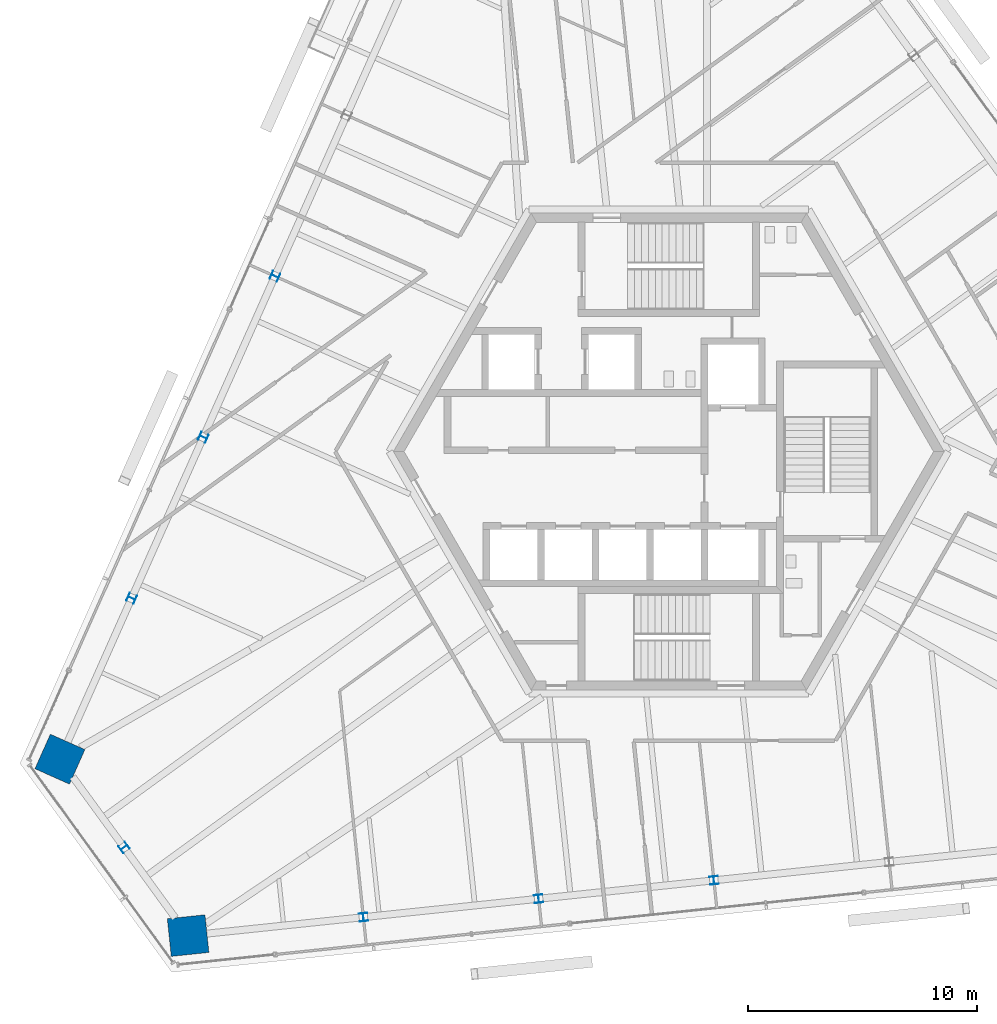
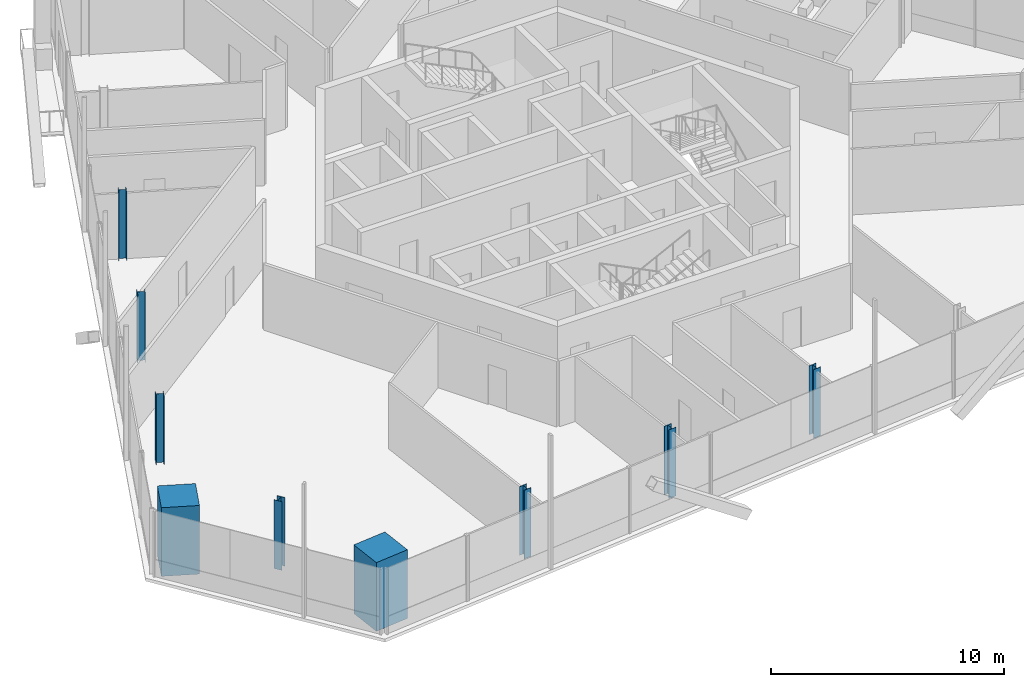
# One storey, part 1 of 21: 9 columns.
"""IFC4 building model written with IfcOpenShell, lengths in metres."""

from ifc_helpers import new_model, si_unit, direction, frame, origin, origin_2d, place, context, subcontext, project, spatial, rectangle, i_section, extrude, source, transform, mapped, material, material_profile, profile_set, type_object, element, save


model = new_model("IFC4")

# Units and contexts
model_context = context("Model", 3, precision=1e-05, world=origin(), true_north=direction((0.0, 1.0)))
body_context = subcontext(model_context, "Body", "Model", "MODEL_VIEW")
ifc_project = project(units=[si_unit("LENGTHUNIT", "METRE"), si_unit("AREAUNIT", "SQUARE_METRE"), si_unit("VOLUMEUNIT", "CUBIC_METRE"), si_unit("PLANEANGLEUNIT", "RADIAN"), si_unit("MASSUNIT", "GRAM", prefix="KILO")], contexts=[model_context])

# Site, building, storey
site_placement = place(None, origin())
site = spatial("IfcSite", under=ifc_project, at=site_placement, CompositionType="ELEMENT")
building_placement = place(site_placement, origin())
building = spatial("IfcBuilding", under=site, at=building_placement, Name="Triune Harvest Tower", CompositionType="ELEMENT")
storey_placement = place(building_placement, frame((0.0, 0.0, 241.300048828125)))
storey = spatial("IfcBuildingStorey", under=building, at=storey_placement, Name="L63", CompositionType="ELEMENT", Elevation=241.300048828125)

# Columns
ifc_material_1 = material(Name="Concrete 70 MPa", Category="concrete")
ifc_material_profile_1 = material_profile(ifc_material_1, rectangle(XDim=1.64990234375, YDim=1.64990234375, at=origin_2d()), Name="Composite 1650x1650")
ifc_profile_set_1 = profile_set([ifc_material_profile_1], Name="Concrete 70 MPa")
column_type_1 = type_object("IfcColumnType", Name="MC-6 Mega column Composite 1650x1650", PredefinedType="COLUMN", material=ifc_profile_set_1)
shared_shape_1 = source(origin(), body_context, "Body", "SweptSolid", [
    extrude(rectangle(XDim=1.64990234375, YDim=1.64990234375, at=origin_2d()), origin(), (0.0, 0.0, 1.0), 3.599853515625),
])
for number, where, z_axis, x_axis, name in (
    (1, (-26.5341796875, -13.40478515625, 0.0), (0.0, 0.0, 1.0), (-0.406738237513, -0.913544747752, 0.0), "col/L63/M14"),
    (2, (-20.9482421875, -21.09326171875, 0.0), (0.0, 0.0, 1.0), (0.99452171293, 0.104530199036, 0.0), "col/L63/M16"),
):
    element("IfcColumn", number, at=place(storey_placement, frame(where, z_axis=z_axis, x_axis=x_axis)), inside=storey, type_object=column_type_1, Name=name, PredefinedType="COLUMN", context=body_context, shape_type="MappedRepresentation", body=[
        mapped(shared_shape_1, transform((0.0, 0.0, 0.0), scale=1.0)),
    ])
ifc_material_2 = material(Name="Steel ASTM A992 Gr 50", Category="steel")
ifc_material_profile_2 = material_profile(ifc_material_2, i_section(OverallWidth=0.368408203125, OverallDepth=0.355712890625, WebThickness=0.01123046875, FlangeThickness=0.01806640625, at=origin_2d()), Name="W14x90")
ifc_profile_set_2 = profile_set([ifc_material_profile_2], Name="Steel ASTM A992 Gr 50")
column_type_2 = type_object("IfcColumnType", Name="PC-6 Perimeter column W14x90", PredefinedType="COLUMN", material=ifc_profile_set_2)
shared_shape_2 = source(origin(), body_context, "Body", "SweptSolid", [
    extrude(i_section(OverallWidth=0.368408203125, OverallDepth=0.355712890625, WebThickness=0.01123046875, FlangeThickness=0.01806640625, at=origin_2d()), origin(), (0.0, 0.0, 1.0), 3.599853515625),
])
for number, where, z_axis, x_axis, name in (
    (3, (-17.163818359375, 7.641845703125, 0.0), (0.0, 0.0, 1.0), (-0.406738237513, -0.913544747752, 0.0), "col/L63/P11"),
    (4, (-20.287109375, 0.626220703125, 0.0), (0.0, 0.0, 1.0), (-0.406738237513, -0.913544747752, 0.0), "col/L63/P12"),
    (5, (-23.41064453125, -6.389404296875, 0.0), (0.0, 0.0, 1.0), (-0.406738237513, -0.913544747752, 0.0), "col/L63/P13"),
    (6, (-13.310791015625, -20.29052734375, 0.0), (0.0, 0.0, 1.0), (0.99452171293, 0.104530199036, 0.0), "col/L63/P17"),
    (7, (-5.673583984375, -19.48779296875, 0.0), (0.0, 0.0, 1.0), (0.99452171293, 0.104530199036, 0.0), "col/L63/P18"),
    (8, (1.9638671875, -18.68505859375, 0.0), (0.0, 0.0, 1.0), (0.99452171293, 0.104530199036, 0.0), "col/L63/P19"),
):
    element("IfcColumn", number, at=place(storey_placement, frame(where, z_axis=z_axis, x_axis=x_axis)), inside=storey, type_object=column_type_2, Name=name, PredefinedType="COLUMN", context=body_context, shape_type="MappedRepresentation", body=[
        mapped(shared_shape_2, transform((0.0, 0.0, 0.0), scale=1.0)),
    ])
shared_shape_3 = source(origin(), body_context, "Body", "SweptSolid", [
    extrude(i_section(OverallWidth=0.368408203125, OverallDepth=0.355712890625, WebThickness=0.01123046875, FlangeThickness=0.01806640625, at=origin_2d()), origin(), (0.0, 0.0, 1.0), 3.60009765625),
])
column_placement = place(storey_placement, frame((-23.7412109375, -17.2490234375, 1.199951171875), z_axis=(0.0, 0.0, 1.0), x_axis=(0.587785252292, -0.809016994375, 0.0)))
element("IfcColumn", 9, at=column_placement, inside=storey, type_object=column_type_2, Name="col/L63/P15", PredefinedType="COLUMN", context=body_context, shape_type="MappedRepresentation", body=[
    mapped(shared_shape_3, transform((0.0, 0.0, 0.0), scale=1.0)),
])

save(model, "model.ifc")
